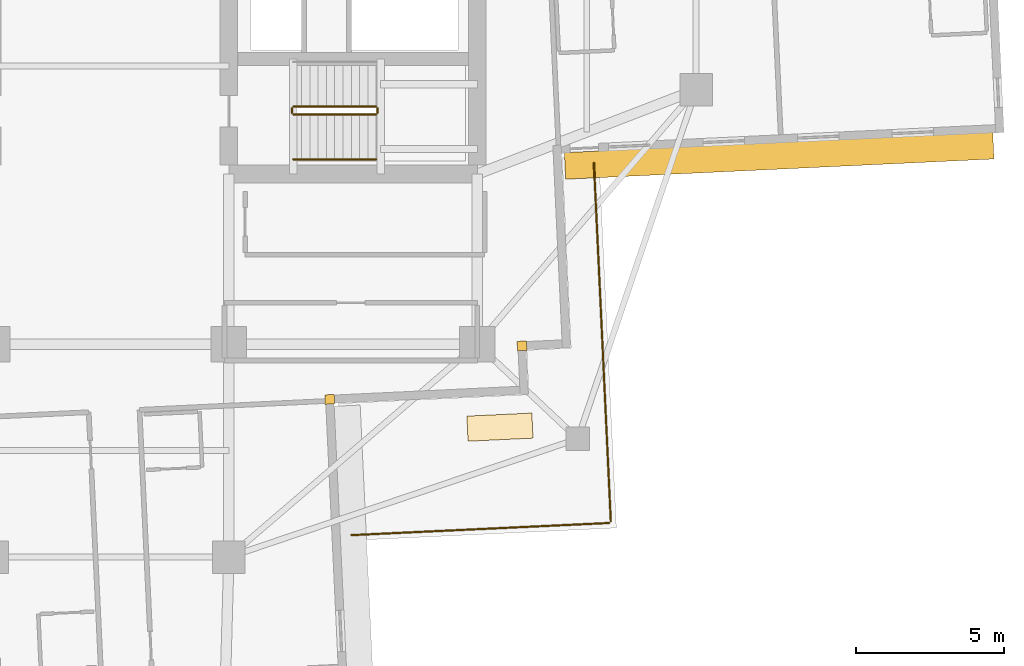
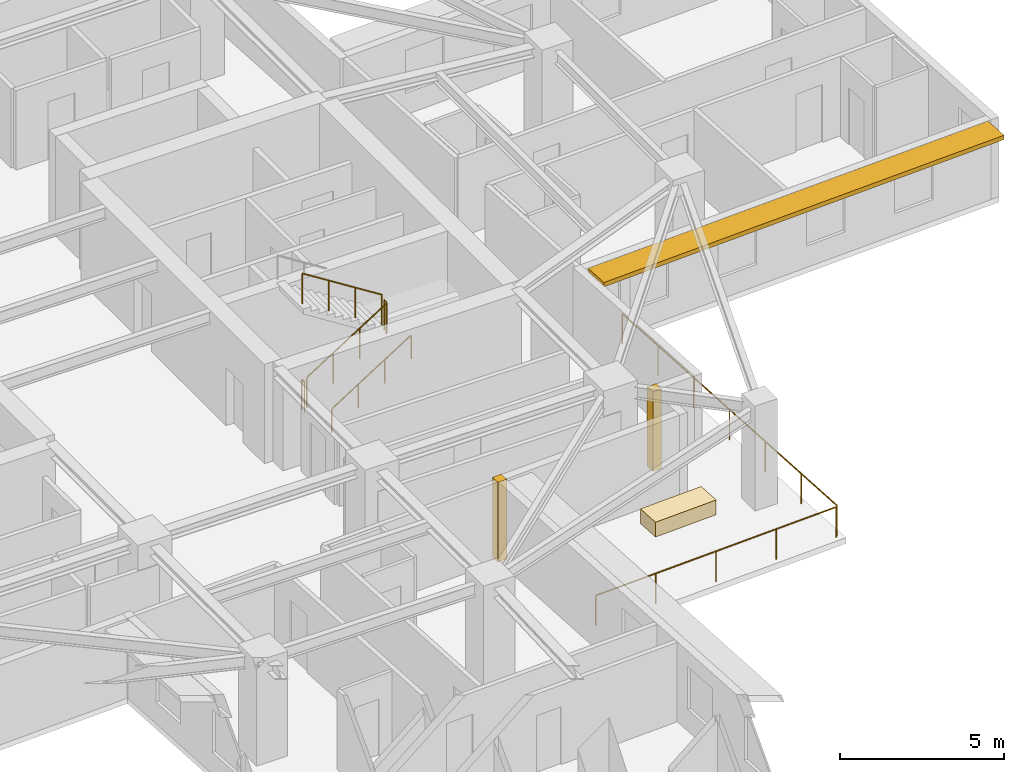
# One storey, part 12 of 14: 7 railings, 3 coverings, 1 shading device.
"""IFC4 building model written with IfcOpenShell, lengths in metres."""

from ifc_helpers import new_model, si_unit, direction, frame, origin, origin_2d, place, context, subcontext, project, spatial, rectangle, circle, extrude, material, layer, layer_set, type_object, element, save


model = new_model("IFC4")

# Units and contexts
model_context = context("Model", 3, precision=1e-05, world=origin(), true_north=direction((0.0, 1.0)))
body_context = subcontext(model_context, "Body", "Model", "MODEL_VIEW")
ifc_project = project(units=[si_unit("LENGTHUNIT", "METRE"), si_unit("AREAUNIT", "SQUARE_METRE"), si_unit("VOLUMEUNIT", "CUBIC_METRE"), si_unit("PLANEANGLEUNIT", "RADIAN"), si_unit("MASSUNIT", "GRAM", prefix="KILO")], contexts=[model_context])

# Site, building, storey
site_placement = place(None, origin())
site = spatial("IfcSite", under=ifc_project, at=site_placement, CompositionType="ELEMENT")
building_placement = place(site_placement, origin())
building = spatial("IfcBuilding", under=site, at=building_placement, Name="Qingluan Cross Belvedere", CompositionType="ELEMENT")
storey_placement = place(building_placement, frame((0.0, 0.0, 116.39990234375)))
storey = spatial("IfcBuildingStorey", under=building, at=storey_placement, Name="L29", CompositionType="ELEMENT", Elevation=116.39990234375)

# Coverings
ifc_material_1 = material(Name="Precast concrete C45", Category="concrete")
ifc_layer_1 = layer(ifc_material_1, 0.1201171875, Name="ConcreteSpandrelCladding_120")
ifc_layer_set_1 = layer_set([ifc_layer_1], Name="Precast concrete C45")
covering_type_1 = type_object("IfcCoveringType", Name="ConcreteSpandrelCladding_120", PredefinedType="CLADDING", material=ifc_layer_set_1)
for number, where, z_axis, x_axis, name in (
    (1, (13.911865234375, -12.65869140625, 0.0), (0.0, 0.0, 1.0), (0.998889874962, 0.04710645071, 0.0), "Corner closure L29-SE1"),
    (2, (7.40966796875, -14.467041015625, 0.0), (0.0, 0.0, 1.0), (0.998889874962, 0.04710645071, 0.0), "Corner closure L29-SE2"),
):
    element("IfcCovering", number, at=place(storey_placement, frame(where, z_axis=z_axis, x_axis=x_axis)), inside=storey, type_object=covering_type_1, Name=name, PredefinedType="CLADDING", context=body_context, shape_type="SweptSolid", body=[
        extrude(rectangle(XDim=0.320068359375, YDim=0.320068359375, at=origin_2d()), origin(), (0.0, 0.0, 1.0), 2.969970703125),
    ])

# Shading device
ifc_material_2 = material(Name="Precast concrete C45", Category="concrete")
ifc_layer_2 = layer(ifc_material_2, 0.159912109375, Name="ConcreteSunshadeBand_900")
ifc_layer_set_2 = layer_set([ifc_layer_2], Name="Precast concrete C45")
shading_device_type = type_object("IfcShadingDeviceType", Name="ConcreteSunshadeBand_900", PredefinedType="USERDEFINED", material=ifc_layer_set_2)
shading_device_placement = place(storey_placement, frame((22.608642578125, -6.23193359375, 2.7900390625), z_axis=(0.0, 0.0, 1.0), x_axis=(0.99888976521, 0.047108777928, 0.0)))
element("IfcShadingDevice", 3, at=shading_device_placement, inside=storey, type_object=shading_device_type, Name="Concrete SUNSHADE L29-EA", ObjectType="SUNSHADE", PredefinedType="USERDEFINED", context=body_context, shape_type="SweptSolid", body=[
    extrude(rectangle(XDim=14.5, YDim=0.89990234375, at=origin_2d()), origin(), (0.0, 0.0, 1.0), 0.159912109375),
])

# Railings
ifc_material_3 = material(Name="Brushed stainless steel tubular handrail", Category="steel")
railing_type_1 = type_object("IfcRailingType", Name="StairPitchHandrail_900", PredefinedType="HANDRAIL", material=ifc_material_3)
railing_1_placement = place(storey_placement, frame((6.179931640625, -6.35009765625, 0.177490234375)))
element("IfcRailing", 4, at=railing_1_placement, inside=storey, type_object=railing_type_1, Name="L29 ST2 stair handrail 1", PredefinedType="HANDRAIL", context=body_context, shape_type="SweptSolid", body=[
    extrude(circle(Radius=0.02392578125, at=origin_2d()), frame((0.0, 0.0, 0.8759765625), z_axis=(0.844908973607, 0.0, 0.534910110503), x_axis=(0.0, 1.0, 0.0)), (0.0, 0.0, 1.0), 3.31396484375),
    extrude(circle(Radius=0.02099609375, at=origin_2d()), origin(), (0.0, 0.0, 1.0), 0.851806640625),
    extrude(circle(Radius=0.02099609375, at=origin_2d()), frame((0.933349609375, 0.0, 0.5908203125)), (0.0, 0.0, 1.0), 0.851806640625),
    extrude(circle(Radius=0.02099609375, at=origin_2d()), frame((1.86669921875, 0.0, 1.181884765625)), (0.0, 0.0, 1.0), 0.851806640625),
    extrude(circle(Radius=0.02099609375, at=origin_2d()), frame((2.800048828125, 0.0, 1.772705078125)), (0.0, 0.0, 1.0), 0.851806640625),
])
ifc_material_4 = material(Name="Painted steel stair well guard", Category="steel")
railing_type_2 = type_object("IfcRailingType", Name="StairWellGuard_1150", PredefinedType="BALUSTRADE", material=ifc_material_4)
railing_2_placement = place(storey_placement, frame((6.179931640625, -4.830078125, 0.177490234375)))
element("IfcRailing", 5, at=railing_2_placement, inside=storey, type_object=railing_type_2, Name="L29 ST2 stair guard 1", PredefinedType="BALUSTRADE", context=body_context, shape_type="SweptSolid", body=[
    extrude(circle(Radius=0.02392578125, at=origin_2d()), frame((0.0, 0.0, 1.1259765625), z_axis=(0.844908973607, 0.0, 0.534910110503), x_axis=(0.0, 1.0, 0.0)), (0.0, 0.0, 1.0), 3.31396484375),
    extrude(circle(Radius=0.02099609375, at=origin_2d()), origin(), (0.0, 0.0, 1.0), 1.101806640625),
    extrude(circle(Radius=0.02099609375, at=origin_2d()), frame((0.933349609375, 0.0, 0.5908203125)), (0.0, 0.0, 1.0), 1.101806640625),
    extrude(circle(Radius=0.02099609375, at=origin_2d()), frame((1.86669921875, 0.0, 1.181884765625)), (0.0, 0.0, 1.0), 1.101806640625),
    extrude(circle(Radius=0.02099609375, at=origin_2d()), frame((2.800048828125, 0.0, 1.772705078125)), (0.0, 0.0, 1.0), 1.101806640625),
])
railing_3_placement = place(storey_placement, frame((9.030029296875, -4.780029296875, 1.9501953125)))
element("IfcRailing", 6, at=railing_3_placement, inside=storey, type_object=railing_type_2, Name="L29 ST2 stair guard 2", PredefinedType="BALUSTRADE", context=body_context, shape_type="SweptSolid", body=[
    extrude(circle(Radius=0.02392578125, at=origin_2d()), frame((0.0, 0.0, 1.1259765625), z_axis=(0.0, 1.0, 0.0), x_axis=(-1.0, 0.0, 0.0)), (0.0, 0.0, 1.0), 0.159912109375),
    extrude(circle(Radius=0.02099609375, at=origin_2d()), origin(), (0.0, 0.0, 1.0), 1.101806640625),
    extrude(circle(Radius=0.02099609375, at=origin_2d()), frame((0.0, 0.159912109375, 0.0)), (0.0, 0.0, 1.0), 1.101806640625),
])
railing_4_placement = place(storey_placement, frame((8.97998046875, -4.570068359375, 2.12744140625)))
element("IfcRailing", 7, at=railing_4_placement, inside=storey, type_object=railing_type_2, Name="L29 ST2 stair guard 3", PredefinedType="BALUSTRADE", context=body_context, shape_type="SweptSolid", body=[
    extrude(circle(Radius=0.02392578125, at=origin_2d()), frame((0.0, 0.0, 1.1259765625), z_axis=(-0.844908973607, 0.0, 0.534910110503), x_axis=(0.0, -1.0, 0.0)), (0.0, 0.0, 1.0), 3.31396484375),
    extrude(circle(Radius=0.02099609375, at=origin_2d()), origin(), (0.0, 0.0, 1.0), 1.101806640625),
    extrude(circle(Radius=0.02099609375, at=origin_2d()), frame((-0.933349609375, 0.0, 0.5908203125)), (0.0, 0.0, 1.0), 1.101806640625),
    extrude(circle(Radius=0.02099609375, at=origin_2d()), frame((-1.86669921875, 0.0, 1.181884765625)), (0.0, 0.0, 1.0), 1.101806640625),
    extrude(circle(Radius=0.02099609375, at=origin_2d()), frame((-2.800048828125, 0.0, 1.772705078125)), (0.0, 0.0, 1.0), 1.101806640625),
])
railing_5_placement = place(storey_placement, frame((6.1298828125, -4.780029296875, 0.0)))
element("IfcRailing", 8, at=railing_5_placement, inside=storey, type_object=railing_type_2, Name="L29 ST2 stair guard 4", PredefinedType="BALUSTRADE", context=body_context, shape_type="SweptSolid", body=[
    extrude(circle(Radius=0.02392578125, at=origin_2d()), frame((0.0, 0.0, 1.1259765625), z_axis=(0.0, 1.0, 0.0), x_axis=(-1.0, 0.0, 0.0)), (0.0, 0.0, 1.0), 0.159912109375),
    extrude(circle(Radius=0.02099609375, at=origin_2d()), origin(), (0.0, 0.0, 1.0), 1.101806640625),
    extrude(circle(Radius=0.02099609375, at=origin_2d()), frame((0.0, 0.159912109375, 0.0)), (0.0, 0.0, 1.0), 1.101806640625),
])
ifc_material_5 = material(Name="Laminated glass and stainless steel balustrade", Category="steel")
railing_type_3 = type_object("IfcRailingType", Name="TerraceGuardBalustrade_1150", PredefinedType="BALUSTRADE", material=ifc_material_5)
railing_6_placement = place(storey_placement, frame((16.34326171875, -6.477294921875, 0.0)))
element("IfcRailing", 9, at=railing_6_placement, inside=storey, type_object=railing_type_3, Name="Terrace guard L29-1", PredefinedType="BALUSTRADE", context=body_context, shape_type="SweptSolid", body=[
    extrude(circle(Radius=0.02392578125, at=origin_2d()), frame((0.0, 0.0, 1.1259765625), z_axis=(0.047116284841, -0.998889411148, 0.0), x_axis=(0.998889411148, 0.047116284841, 0.0)), (0.0, 0.0, 1.0), 12.119873046875),
    extrude(circle(Radius=0.02099609375, at=origin_2d()), origin(), (0.0, 0.0, 1.0), 1.101806640625),
    extrude(circle(Radius=0.02099609375, at=origin_2d()), frame((0.09521484375, -2.017822265625, 0.0)), (0.0, 0.0, 1.0), 1.101806640625),
    extrude(circle(Radius=0.02099609375, at=origin_2d()), frame((0.1904296875, -4.035400390625, 0.0)), (0.0, 0.0, 1.0), 1.101806640625),
    extrude(circle(Radius=0.02099609375, at=origin_2d()), frame((0.28564453125, -6.05322265625, 0.0)), (0.0, 0.0, 1.0), 1.101806640625),
    extrude(circle(Radius=0.02099609375, at=origin_2d()), frame((0.380615234375, -8.071044921875, 0.0)), (0.0, 0.0, 1.0), 1.101806640625),
    extrude(circle(Radius=0.02099609375, at=origin_2d()), frame((0.475830078125, -10.088623046875, 0.0)), (0.0, 0.0, 1.0), 1.101806640625),
    extrude(circle(Radius=0.02099609375, at=origin_2d()), frame((0.571044921875, -12.1064453125, 0.0)), (0.0, 0.0, 1.0), 1.101806640625),
])
railing_7_placement = place(storey_placement, frame((16.857177734375, -18.646484375, 0.0)))
element("IfcRailing", 10, at=railing_7_placement, inside=storey, type_object=railing_type_3, Name="Terrace guard L29-2", PredefinedType="BALUSTRADE", context=body_context, shape_type="SweptSolid", body=[
    extrude(circle(Radius=0.02392578125, at=origin_2d()), frame((0.0, 0.0, 1.1259765625), z_axis=(-0.998889258033, -0.047119530839, 0.0), x_axis=(0.047119530839, -0.998889258033, 0.0)), (0.0, 0.0, 1.0), 8.72021484375),
    extrude(circle(Radius=0.02099609375, at=origin_2d()), origin(), (0.0, 0.0, 1.0), 1.101806640625),
    extrude(circle(Radius=0.02099609375, at=origin_2d()), frame((-2.177734375, -0.102783203125, 0.0)), (0.0, 0.0, 1.0), 1.101806640625),
    extrude(circle(Radius=0.02099609375, at=origin_2d()), frame((-4.355224609375, -0.20556640625, 0.0)), (0.0, 0.0, 1.0), 1.101806640625),
    extrude(circle(Radius=0.02099609375, at=origin_2d()), frame((-6.53271484375, -0.30810546875, 0.0)), (0.0, 0.0, 1.0), 1.101806640625),
    extrude(circle(Radius=0.02099609375, at=origin_2d()), frame((-8.71044921875, -0.410888671875, 0.0)), (0.0, 0.0, 1.0), 1.101806640625),
])

# Covering
ifc_material_6 = material(Name="Precast concrete C40", Category="concrete")
ifc_layer_3 = layer(ifc_material_6, 0.550048828125, Name="TerracePlanterBox")
ifc_layer_set_3 = layer_set([ifc_layer_3], Name="Precast concrete C40")
covering_type_2 = type_object("IfcCoveringType", Name="TerracePlanterBox", PredefinedType="USERDEFINED", material=ifc_layer_set_3)
covering_placement = place(storey_placement, frame((13.166015625, -15.406005859375, 0.0), z_axis=(0.0, 0.0, 1.0), x_axis=(0.998889874962, 0.04710645071, 0.0)))
element("IfcCovering", 11, at=covering_placement, inside=storey, type_object=covering_type_2, Name="Spiralling winter-garden planter L29", ObjectType="PLANTER", PredefinedType="USERDEFINED", context=body_context, shape_type="SweptSolid", body=[
    extrude(rectangle(XDim=2.199951171875, YDim=0.85009765625, at=origin_2d()), origin(), (0.0, 0.0, 1.0), 0.550048828125),
])

save(model, "model.ifc")
